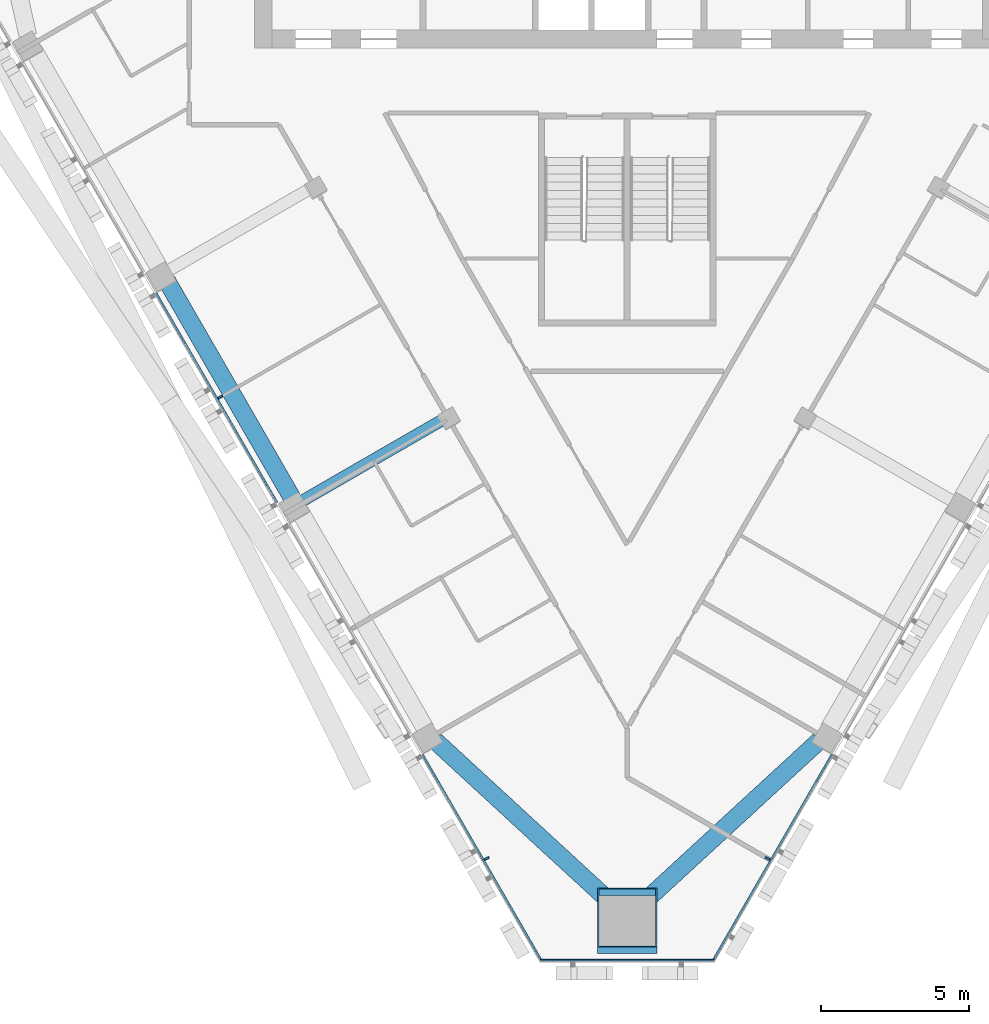
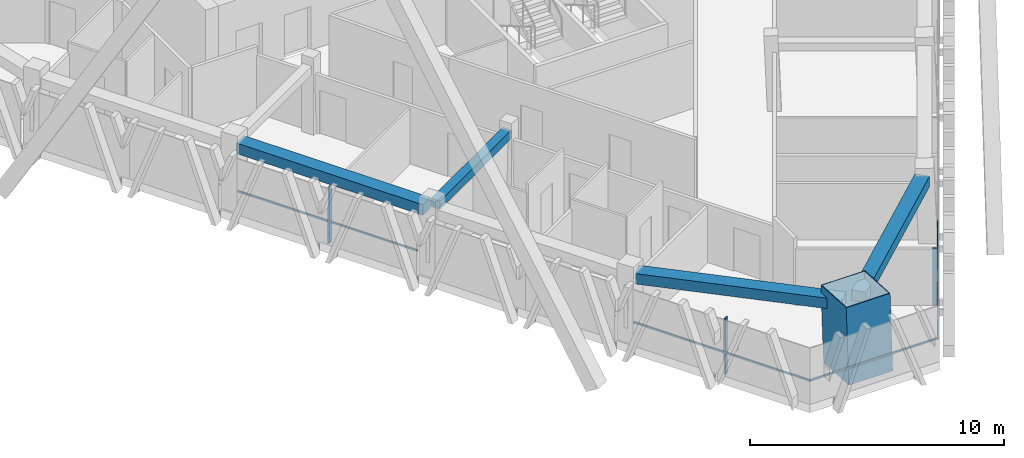
# One storey, part 4 of 22: 8 members, 4 beams, 3 elements without a shape of their own.
"""IFC4 building model written with IfcOpenShell, lengths in metres."""

from ifc_helpers import new_model, si_unit, direction, frame, origin, origin_2d, place, context, subcontext, project, spatial, rectangle, hollow_rectangle, extrude, material, layer, layer_set, material_profile, profile_set, type_object, element, aggregate, save


model = new_model("IFC4")

# Units and contexts
model_context = context("Model", 3, precision=1e-05, world=origin(), true_north=direction((0.0, 1.0)))
body_context = subcontext(model_context, "Body", "Model", "MODEL_VIEW")
ifc_project = project(units=[si_unit("LENGTHUNIT", "METRE"), si_unit("AREAUNIT", "SQUARE_METRE"), si_unit("VOLUMEUNIT", "CUBIC_METRE"), si_unit("PLANEANGLEUNIT", "RADIAN"), si_unit("MASSUNIT", "GRAM", prefix="KILO")], contexts=[model_context])

# Site, building, storey
site_placement = place(None, origin())
site = spatial("IfcSite", under=ifc_project, at=site_placement, CompositionType="ELEMENT")
building_placement = place(site_placement, origin())
building = spatial("IfcBuilding", under=site, at=building_placement, Name="Altiplano Prism Tower", CompositionType="ELEMENT")
storey_placement = place(building_placement, frame((0.0, 0.0, 219.39990234375)))
storey = spatial("IfcBuildingStorey", under=building, at=storey_placement, Name="L56", CompositionType="ELEMENT", Elevation=219.39990234375)

# Curtain wall, members
ifc_material_1 = material(Name="Aluminium and glass", Category="aluminium")
ifc_layer = layer(ifc_material_1, 0.280029296875)
ifc_layer_set = layer_set([ifc_layer], Name="Aluminium and glass")
curtain_wall_type = type_object("IfcCurtainWallType", Name="CW1 typical co-living unitised curtain wall", PredefinedType="NOTDEFINED", material=ifc_layer_set)
curtain_wall_1_placement = place(storey_placement, origin())
curtain_wall_1 = element("IfcCurtainWall", 1, at=curtain_wall_1_placement, inside=storey, type_object=curtain_wall_type, Name="CW1 curtain wall south-west face L56", PredefinedType="NOTDEFINED")
ifc_material_2 = material(Name="Aluminium", Category="aluminium")
ifc_material_profile_1 = material_profile(ifc_material_2, rectangle(XDim=0.179931640625, YDim=0.06494140625, at=origin_2d()), Name="CW1 mullion 65 x 180")
ifc_profile_set_1 = profile_set([ifc_material_profile_1], Name="Aluminium")
member_type_1 = type_object("IfcMemberType", Name="CW1 mullion 65 x 180", PredefinedType="MULLION", material=ifc_profile_set_1)
member_1_placement = place(storey_placement, frame((71.2529296875, 80.99951171875, 0.0), z_axis=(0.0, 0.0, 1.0), x_axis=(0.866025415356, 0.499999979958, 0.0)))
member_1 = element("IfcMember", 2, at=member_1_placement, type_object=member_type_1, Name="CW1 mullion", PredefinedType="MULLION", context=body_context, shape_type="SweptSolid", body=[
    extrude(rectangle(XDim=0.179931640625, YDim=0.06494140625, at=origin_2d()), origin(), (0.0, 0.0, 1.0), 2.7001953125),
])
member_2_placement = place(storey_placement, frame((80.2529296875, 65.4111328125, 0.0), z_axis=(0.0, 0.0, 1.0), x_axis=(0.866025415356, 0.499999979958, 0.0)))
member_2 = element("IfcMember", 3, at=member_2_placement, type_object=member_type_1, Name="CW1 mullion", PredefinedType="MULLION", context=body_context, shape_type="SweptSolid", body=[
    extrude(rectangle(XDim=0.179931640625, YDim=0.06494140625, at=origin_2d()), origin(), (0.0, 0.0, 1.0), 2.7001953125),
])

# Curtain wall, member
curtain_wall_2_placement = place(storey_placement, origin())
curtain_wall_2 = element("IfcCurtainWall", 4, at=curtain_wall_2_placement, inside=storey, type_object=curtain_wall_type, Name="CW1 curtain wall south-east face L56", PredefinedType="NOTDEFINED")
member_3_placement = place(storey_placement, frame((89.7470703125, 65.4111328125, 0.0), z_axis=(0.0, 0.0, 1.0), x_axis=(-0.866025415356, 0.499999979958, 0.0)))
member_3 = element("IfcMember", 5, at=member_3_placement, type_object=member_type_1, Name="CW1 mullion", PredefinedType="MULLION", context=body_context, shape_type="SweptSolid", body=[
    extrude(rectangle(XDim=0.179931640625, YDim=0.06494140625, at=origin_2d()), origin(), (0.0, 0.0, 1.0), 2.7001953125),
])

# Member
ifc_material_profile_2 = material_profile(ifc_material_2, rectangle(XDim=0.06005859375, YDim=0.080078125, at=origin_2d()), Name="CW1 transom 80 x 60")
ifc_profile_set_2 = profile_set([ifc_material_profile_2], Name="Aluminium")
member_type_2 = type_object("IfcMemberType", Name="CW1 transom 80 x 60", PredefinedType="USERDEFINED", material=ifc_profile_set_2)
member_4_placement = place(storey_placement, frame((69.0869140625, 84.51123046875, 1.10009765625), z_axis=(0.500008722908, -0.866020367552, 0.0), x_axis=(0.866020367552, 0.500008722908, 0.0)))
member_4 = element("IfcMember", 6, at=member_4_placement, type_object=member_type_2, Name="CW1 transom", ObjectType="TRANSOM", PredefinedType="USERDEFINED", context=body_context, shape_type="SweptSolid", body=[
    extrude(rectangle(XDim=0.06005859375, YDim=0.080078125, at=origin_2d()), origin(), (0.0, 0.0, 1.0), 8.169677734375),
])

member_5_placement = place(storey_placement, frame((78.0869140625, 68.9228515625, 1.10009765625), z_axis=(0.500005597063, -0.866022172295, 0.0), x_axis=(0.866022172295, 0.500005597063, 0.0)))
member_5 = element("IfcMember", 7, at=member_5_placement, type_object=member_type_2, Name="CW1 transom", ObjectType="TRANSOM", PredefinedType="USERDEFINED", context=body_context, shape_type="SweptSolid", body=[
    extrude(rectangle(XDim=0.06005859375, YDim=0.080078125, at=origin_2d()), origin(), (0.0, 0.0, 1.0), 8.06103515625),
])

aggregate(curtain_wall_1, [member_1, member_4, member_2, member_5])

# Curtain wall, member
curtain_wall_3_placement = place(storey_placement, origin())
curtain_wall_3 = element("IfcCurtainWall", 8, at=curtain_wall_3_placement, inside=storey, type_object=curtain_wall_type, Name="CW1 curtain wall south chamfer L56", PredefinedType="NOTDEFINED")
member_6_placement = place(storey_placement, frame((82.056884765625, 61.976806640625, 1.10009765625), z_axis=(1.0, 0.0, 0.0), x_axis=(0.0, 1.0, 0.0)))
member_6 = element("IfcMember", 9, at=member_6_placement, type_object=member_type_2, Name="CW1 transom", ObjectType="TRANSOM", PredefinedType="USERDEFINED", context=body_context, shape_type="SweptSolid", body=[
    extrude(rectangle(XDim=0.06005859375, YDim=0.080078125, at=origin_2d()), origin(), (0.0, 0.0, 1.0), 5.88623046875),
])
aggregate(curtain_wall_3, [member_6])

# Member
member_7_placement = place(storey_placement, frame((87.882568359375, 61.94189453125, 1.10009765625), z_axis=(0.500005597063, 0.866022172295, 0.0), x_axis=(-0.866022172295, 0.500005597063, 0.0)))
member_7 = element("IfcMember", 10, at=member_7_placement, type_object=member_type_2, Name="CW1 transom", ObjectType="TRANSOM", PredefinedType="USERDEFINED", context=body_context, shape_type="SweptSolid", body=[
    extrude(rectangle(XDim=0.06005859375, YDim=0.080078125, at=origin_2d()), origin(), (0.0, 0.0, 1.0), 8.06103515625),
])

aggregate(curtain_wall_2, [member_3, member_7])

# Beams
ifc_material_3 = material(Name="Concrete C60/75", Category="concrete")
ifc_material_profile_3 = material_profile(ifc_material_3, rectangle(XDim=0.60009765625, YDim=0.5, at=origin_2d()), Name="Edge beam 600x500")
ifc_profile_set_3 = profile_set([ifc_material_profile_3], Name="Concrete C60/75")
beam_type_1 = type_object("IfcBeamType", Name="Edge beam 600x500", PredefinedType="SPANDREL", material=ifc_profile_set_3)
beam_1_placement = place(storey_placement, frame((69.435791015625, 84.9443359375, 2.9501953125), z_axis=(0.49998963237, -0.866031389456, 0.0), x_axis=(0.866031389456, 0.49998963237, 0.0)))
element("IfcBeam", 11, at=beam_1_placement, inside=storey, type_object=beam_type_1, Name="Edge beam P12-P13 L57", PredefinedType="SPANDREL", context=body_context, shape_type="SweptSolid", body=[
    extrude(rectangle(XDim=0.60009765625, YDim=0.5, at=origin_2d()), origin(), (0.0, 0.0, 1.0), 8.489990234375),
])
for number, where, z_axis, x_axis, name in (
    (12, (78.509033203125, 69.391845703125, 2.9501953125), (0.735764184796, -0.677237819655, 0.0), (0.677237819655, 0.735764184796, 0.0), "Edge beam P14-M1 L57"),
    (13, (85.3310546875, 63.721923828125, 2.9501953125), (0.735764184796, 0.677237819655, 0.0), (-0.677237819655, 0.735764184796, 0.0), "Edge beam M1-P21 L57"),
):
    element("IfcBeam", number, at=place(storey_placement, frame(where, z_axis=z_axis, x_axis=x_axis)), inside=storey, type_object=beam_type_1, Name=name, PredefinedType="SPANDREL", context=body_context, shape_type="SweptSolid", body=[
        extrude(rectangle(XDim=0.60009765625, YDim=0.5, at=origin_2d()), origin(), (0.0, 0.0, 1.0), 8.3720703125),
    ])

# Member
ifc_material_4 = material(Name="Steel S460", Category="steel")
ifc_material_profile_4 = material_profile(ifc_material_4, hollow_rectangle(XDim=2.0, YDim=2.0, WallThickness=0.0400390625, at=origin_2d()), Name="Mega column tube 2000")
ifc_profile_set_4 = profile_set([ifc_material_profile_4], Name="Steel S460")
member_type_3 = type_object("IfcMemberType", Name="Mega column tube 2000", PredefinedType="POST", material=ifc_profile_set_4)
member_8_placement = place(storey_placement, frame((85.0, 63.206787109375, 0.0), z_axis=(0.0, 0.058356907999, 0.998295783467), x_axis=(-1.0, 0.0, 0.0)))
element("IfcMember", 14, at=member_8_placement, inside=storey, type_object=member_type_3, Name="Mega column tube M1 L56", PredefinedType="POST", context=body_context, shape_type="SweptSolid", body=[
    extrude(hollow_rectangle(XDim=2.0, YDim=2.0, WallThickness=0.0400390625, at=origin_2d()), origin(), (0.0, 0.0, 1.0), 3.606201171875),
])

# Beam
ifc_material_profile_5 = material_profile(ifc_material_3, rectangle(XDim=0.39990234375, YDim=0.39990234375, at=origin_2d()), Name="Tie beam 400x400")
ifc_profile_set_5 = profile_set([ifc_material_profile_5], Name="Concrete C60/75")
beam_type_2 = type_object("IfcBeamType", Name="Tie beam 400x400", PredefinedType="BEAM", material=ifc_profile_set_5)
beam_2_placement = place(storey_placement, frame((78.913330078125, 80.318359375, 3.0), z_axis=(-0.866034203951, -0.499984757355, 0.0), x_axis=(0.499984757355, -0.866034203951, 0.0)))
element("IfcBeam", 15, at=beam_2_placement, inside=storey, type_object=beam_type_2, Name="Tie beam I13 L57", PredefinedType="BEAM", context=body_context, shape_type="SweptSolid", body=[
    extrude(rectangle(XDim=0.39990234375, YDim=0.39990234375, at=origin_2d()), origin(), (0.0, 0.0, 1.0), 5.639892578125),
])

save(model, "model.ifc")
